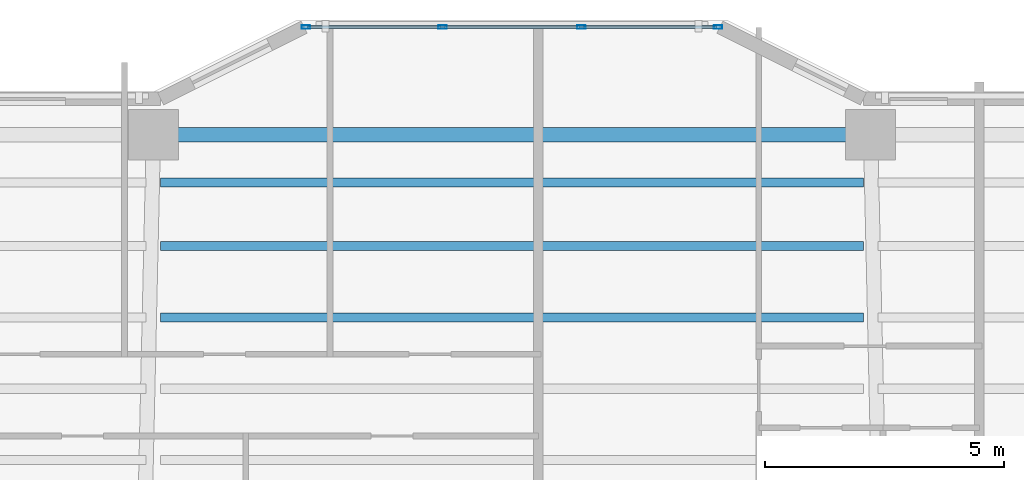
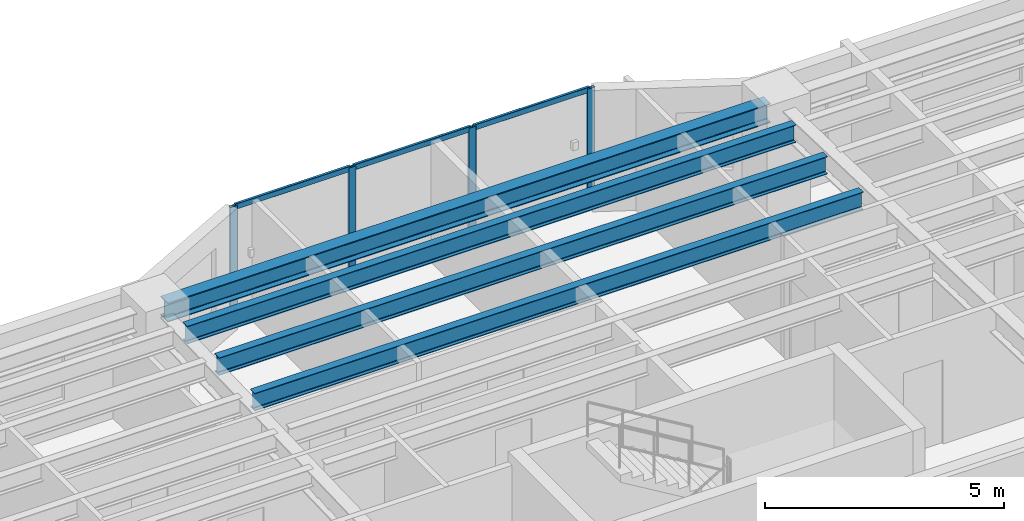
# One storey, part 4 of 18: 10 members, 4 beams, 1 element without a shape of its own.
"""IFC4 building model written with IfcOpenShell, lengths in metres."""

from ifc_helpers import new_model, si_unit, direction, frame, origin, origin_2d, place, context, subcontext, project, spatial, hollow_rectangle, i_section, extrude, material, layer, layer_set, material_profile, profile_set, type_object, element, aggregate, save


model = new_model("IFC4")

# Units and contexts
model_context = context("Model", 3, precision=1e-05, world=origin(), true_north=direction((0.0, 1.0)))
body_context = subcontext(model_context, "Body", "Model", "MODEL_VIEW")
ifc_project = project(units=[si_unit("LENGTHUNIT", "METRE"), si_unit("AREAUNIT", "SQUARE_METRE"), si_unit("VOLUMEUNIT", "CUBIC_METRE"), si_unit("PLANEANGLEUNIT", "RADIAN"), si_unit("MASSUNIT", "GRAM", prefix="KILO")], contexts=[model_context])

# Site, building, storey
site_placement = place(None, origin())
site = spatial("IfcSite", under=ifc_project, at=site_placement, CompositionType="ELEMENT")
building_placement = place(site_placement, origin())
building = spatial("IfcBuilding", under=site, at=building_placement, Name="Tarnavaz Court Tower", CompositionType="ELEMENT")
storey_placement = place(building_placement, frame((0.0, 0.0, 95.050048828125)))
storey = spatial("IfcBuildingStorey", under=building, at=storey_placement, Name="L25", CompositionType="ELEMENT", Elevation=95.050048828125)

# Beams
ifc_material_1 = material(Name="Steel S355", Category="steel")
ifc_material_profile_1 = material_profile(ifc_material_1, i_section(OverallWidth=0.18994140625, OverallDepth=0.449951171875, WebThickness=0.009521484375, FlangeThickness=0.0146484375, FilletRadius=0.02099609375, at=origin_2d()), Name="IPE 450")
ifc_profile_set_1 = profile_set([ifc_material_profile_1], Name="Steel S355")
beam_type_1 = type_object("IfcBeamType", Name="BM-J-IPE450", PredefinedType="JOIST", material=ifc_profile_set_1)
for number, where, z_axis, x_axis, name in (
    (1, (-7.35009765625, 17.48193359375, 2.875), (1.0, 0.0, 0.0), (0.0, 1.0, 0.0), "L25 Beam JN3-2"),
    (2, (-7.35009765625, 18.97607421875, 2.875), (1.0, 0.0, 0.0), (0.0, 1.0, 0.0), "L25 Beam JN4-2"),
    (3, (-7.35009765625, 20.303955078125, 2.875), (1.0, 0.0, 0.0), (0.0, 1.0, 0.0), "L25 Beam JN5-2"),
):
    element("IfcBeam", number, at=place(storey_placement, frame(where, z_axis=z_axis, x_axis=x_axis)), inside=storey, type_object=beam_type_1, Name=name, PredefinedType="JOIST", context=body_context, shape_type="SweptSolid", body=[
        extrude(i_section(OverallWidth=0.18994140625, OverallDepth=0.449951171875, WebThickness=0.009521484375, FlangeThickness=0.0146484375, FilletRadius=0.02099609375, at=origin_2d()), origin(), (0.0, 0.0, 1.0), 14.7001953125),
    ])
ifc_material_profile_2 = material_profile(ifc_material_1, i_section(OverallWidth=0.300048828125, OverallDepth=0.489990234375, WebThickness=0.011962890625, FlangeThickness=0.02294921875, FilletRadius=0.027099609375, at=origin_2d()), Name="HEA 500")
ifc_profile_set_2 = profile_set([ifc_material_profile_2], Name="Steel S355")
beam_type_2 = type_object("IfcBeamType", Name="BM-SP-HEA500", PredefinedType="SPANDREL", material=ifc_profile_set_2)
beam_placement = place(storey_placement, frame((-7.280029296875, 21.300048828125, 2.85498046875), z_axis=(1.0, 0.0, 0.0), x_axis=(0.0, 1.0, 0.0)))
element("IfcBeam", 4, at=beam_placement, inside=storey, type_object=beam_type_2, Name="L25 Beam PR-PN-2-PN-3", PredefinedType="SPANDREL", context=body_context, shape_type="SweptSolid", body=[
    extrude(i_section(OverallWidth=0.300048828125, OverallDepth=0.489990234375, WebThickness=0.011962890625, FlangeThickness=0.02294921875, FilletRadius=0.027099609375, at=origin_2d()), origin(), (0.0, 0.0, 1.0), 14.56005859375),
])

# Curtain wall, members
ifc_material_2 = material(Name="Anodised Aluminium 6063-T6 and Solar Low-E Glazing", Category="aluminium")
ifc_layer = layer(ifc_material_2, 0.179931640625)
ifc_layer_set = layer_set([ifc_layer], Name="Anodised Aluminium 6063-T6 and Solar Low-E Glazing")
curtain_wall_type = type_object("IfcCurtainWallType", Name="CW-SYS-02", PredefinedType="NOTDEFINED", material=ifc_layer_set)
curtain_wall_placement = place(storey_placement, origin())
curtain_wall = element("IfcCurtainWall", 5, at=curtain_wall_placement, inside=storey, type_object=curtain_wall_type, Name="L25 Iwan Prow Curtain Wall 7", PredefinedType="NOTDEFINED")
ifc_material_3 = material(Name="Anodised Aluminium 6063-T6", Category="aluminium")
ifc_material_profile_3 = material_profile(ifc_material_3, hollow_rectangle(XDim=0.074951171875, YDim=0.179931640625, WallThickness=0.0048828125, InnerFilletRadius=0.0048828125, OuterFilletRadius=0.010009765625, at=origin_2d()), Name="ALU RHS 180X75X5")
ifc_profile_set_3 = profile_set([ifc_material_profile_3], Name="Anodised Aluminium 6063-T6")
member_type_1 = type_object("IfcMemberType", Name="CW-MUL-180", PredefinedType="MULLION", material=ifc_profile_set_3)
member_1_placement = place(storey_placement, frame((-4.3125, 23.550048828125, 0.0), z_axis=(0.0, 0.0, 1.0), x_axis=(0.0, 1.0, 0.0)))
member_1 = element("IfcMember", 6, at=member_1_placement, type_object=member_type_1, Name="CW mullion 1", PredefinedType="MULLION", context=body_context, shape_type="SweptSolid", body=[
    extrude(hollow_rectangle(XDim=0.074951171875, YDim=0.179931640625, WallThickness=0.0048828125, InnerFilletRadius=0.0048828125, OuterFilletRadius=0.010009765625, at=origin_2d()), origin(), (0.0, 0.0, 1.0), 3.099853515625),
])
member_2_placement = place(storey_placement, frame((-1.449951171875, 23.550048828125, 0.0), z_axis=(0.0, 0.0, 1.0), x_axis=(0.0, 1.0, 0.0)))
member_2 = element("IfcMember", 7, at=member_2_placement, type_object=member_type_1, Name="CW mullion 2", PredefinedType="MULLION", context=body_context, shape_type="SweptSolid", body=[
    extrude(hollow_rectangle(XDim=0.074951171875, YDim=0.179931640625, WallThickness=0.0048828125, InnerFilletRadius=0.0048828125, OuterFilletRadius=0.010009765625, at=origin_2d()), origin(), (0.0, 0.0, 1.0), 3.099853515625),
])
member_3_placement = place(storey_placement, frame((1.449951171875, 23.550048828125, 0.0), z_axis=(0.0, 0.0, 1.0), x_axis=(0.0, 1.0, 0.0)))
member_3 = element("IfcMember", 8, at=member_3_placement, type_object=member_type_1, Name="CW mullion 3", PredefinedType="MULLION", context=body_context, shape_type="SweptSolid", body=[
    extrude(hollow_rectangle(XDim=0.074951171875, YDim=0.179931640625, WallThickness=0.0048828125, InnerFilletRadius=0.0048828125, OuterFilletRadius=0.010009765625, at=origin_2d()), origin(), (0.0, 0.0, 1.0), 3.099853515625),
])
member_4_placement = place(storey_placement, frame((4.3125, 23.550048828125, 0.0), z_axis=(0.0, 0.0, 1.0), x_axis=(0.0, 1.0, 0.0)))
member_4 = element("IfcMember", 9, at=member_4_placement, type_object=member_type_1, Name="CW mullion 4", PredefinedType="MULLION", context=body_context, shape_type="SweptSolid", body=[
    extrude(hollow_rectangle(XDim=0.074951171875, YDim=0.179931640625, WallThickness=0.0048828125, InnerFilletRadius=0.0048828125, OuterFilletRadius=0.010009765625, at=origin_2d()), origin(), (0.0, 0.0, 1.0), 3.099853515625),
])
ifc_material_profile_4 = material_profile(ifc_material_3, hollow_rectangle(XDim=0.06494140625, YDim=0.139892578125, WallThickness=0.00390625, InnerFilletRadius=0.00390625, OuterFilletRadius=0.008056640625, at=origin_2d()), Name="ALU RHS 140X65X4")
ifc_profile_set_4 = profile_set([ifc_material_profile_4], Name="Anodised Aluminium 6063-T6")
member_type_2 = type_object("IfcMemberType", Name="CW-TRN-140", PredefinedType="USERDEFINED", material=ifc_profile_set_4)
member_5_placement = place(storey_placement, frame((-4.27490234375, 23.550048828125, 0.032470703125), z_axis=(1.0, 0.0, 0.0), x_axis=(0.0, 1.0, 0.0)))
member_5 = element("IfcMember", 10, at=member_5_placement, type_object=member_type_2, Name="CW transom 1.1", ObjectType="TRANSOM", PredefinedType="USERDEFINED", context=body_context, shape_type="SweptSolid", body=[
    extrude(hollow_rectangle(XDim=0.06494140625, YDim=0.139892578125, WallThickness=0.00390625, InnerFilletRadius=0.00390625, OuterFilletRadius=0.008056640625, at=origin_2d()), origin(), (0.0, 0.0, 1.0), 2.787353515625),
])
member_6_placement = place(storey_placement, frame((-4.27490234375, 23.550048828125, 3.0673828125), z_axis=(1.0, 0.0, 0.0), x_axis=(0.0, 1.0, 0.0)))
member_6 = element("IfcMember", 11, at=member_6_placement, type_object=member_type_2, Name="CW transom 1.2", ObjectType="TRANSOM", PredefinedType="USERDEFINED", context=body_context, shape_type="SweptSolid", body=[
    extrude(hollow_rectangle(XDim=0.06494140625, YDim=0.139892578125, WallThickness=0.00390625, InnerFilletRadius=0.00390625, OuterFilletRadius=0.008056640625, at=origin_2d()), origin(), (0.0, 0.0, 1.0), 2.787353515625),
])
member_7_placement = place(storey_placement, frame((-1.41259765625, 23.550048828125, 0.032470703125), z_axis=(1.0, 0.0, 0.0), x_axis=(0.0, 1.0, 0.0)))
member_7 = element("IfcMember", 12, at=member_7_placement, type_object=member_type_2, Name="CW transom 2.1", ObjectType="TRANSOM", PredefinedType="USERDEFINED", context=body_context, shape_type="SweptSolid", body=[
    extrude(hollow_rectangle(XDim=0.06494140625, YDim=0.139892578125, WallThickness=0.00390625, InnerFilletRadius=0.00390625, OuterFilletRadius=0.008056640625, at=origin_2d()), origin(), (0.0, 0.0, 1.0), 2.8251953125),
])
member_8_placement = place(storey_placement, frame((-1.41259765625, 23.550048828125, 3.0673828125), z_axis=(1.0, 0.0, 0.0), x_axis=(0.0, 1.0, 0.0)))
member_8 = element("IfcMember", 13, at=member_8_placement, type_object=member_type_2, Name="CW transom 2.2", ObjectType="TRANSOM", PredefinedType="USERDEFINED", context=body_context, shape_type="SweptSolid", body=[
    extrude(hollow_rectangle(XDim=0.06494140625, YDim=0.139892578125, WallThickness=0.00390625, InnerFilletRadius=0.00390625, OuterFilletRadius=0.008056640625, at=origin_2d()), origin(), (0.0, 0.0, 1.0), 2.8251953125),
])
member_9_placement = place(storey_placement, frame((1.487548828125, 23.550048828125, 0.032470703125), z_axis=(1.0, 0.0, 0.0), x_axis=(0.0, 1.0, 0.0)))
member_9 = element("IfcMember", 14, at=member_9_placement, type_object=member_type_2, Name="CW transom 3.1", ObjectType="TRANSOM", PredefinedType="USERDEFINED", context=body_context, shape_type="SweptSolid", body=[
    extrude(hollow_rectangle(XDim=0.06494140625, YDim=0.139892578125, WallThickness=0.00390625, InnerFilletRadius=0.00390625, OuterFilletRadius=0.008056640625, at=origin_2d()), origin(), (0.0, 0.0, 1.0), 2.787353515625),
])
member_10_placement = place(storey_placement, frame((1.487548828125, 23.550048828125, 3.0673828125), z_axis=(1.0, 0.0, 0.0), x_axis=(0.0, 1.0, 0.0)))
member_10 = element("IfcMember", 15, at=member_10_placement, type_object=member_type_2, Name="CW transom 3.2", ObjectType="TRANSOM", PredefinedType="USERDEFINED", context=body_context, shape_type="SweptSolid", body=[
    extrude(hollow_rectangle(XDim=0.06494140625, YDim=0.139892578125, WallThickness=0.00390625, InnerFilletRadius=0.00390625, OuterFilletRadius=0.008056640625, at=origin_2d()), origin(), (0.0, 0.0, 1.0), 2.787353515625),
])
aggregate(curtain_wall, [member_1, member_2, member_3, member_4, member_5, member_6, member_7, member_8, member_9, member_10])

save(model, "model.ifc")
